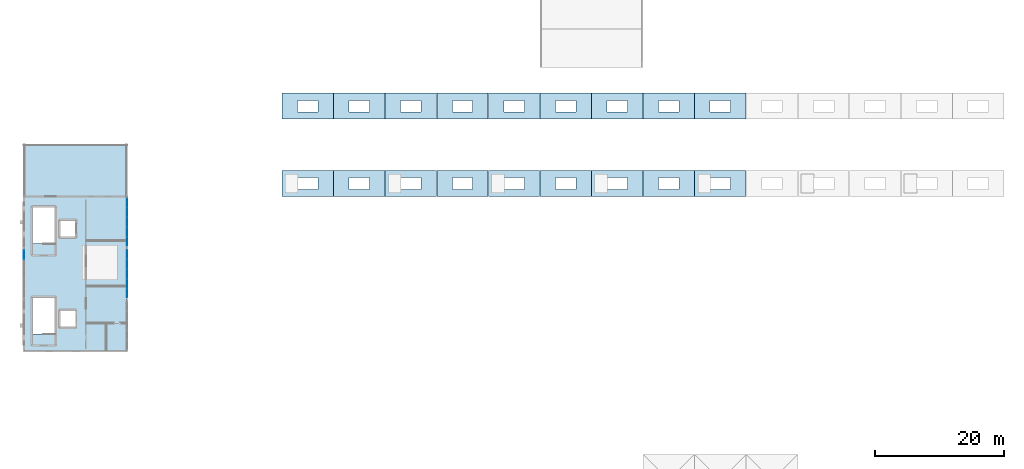
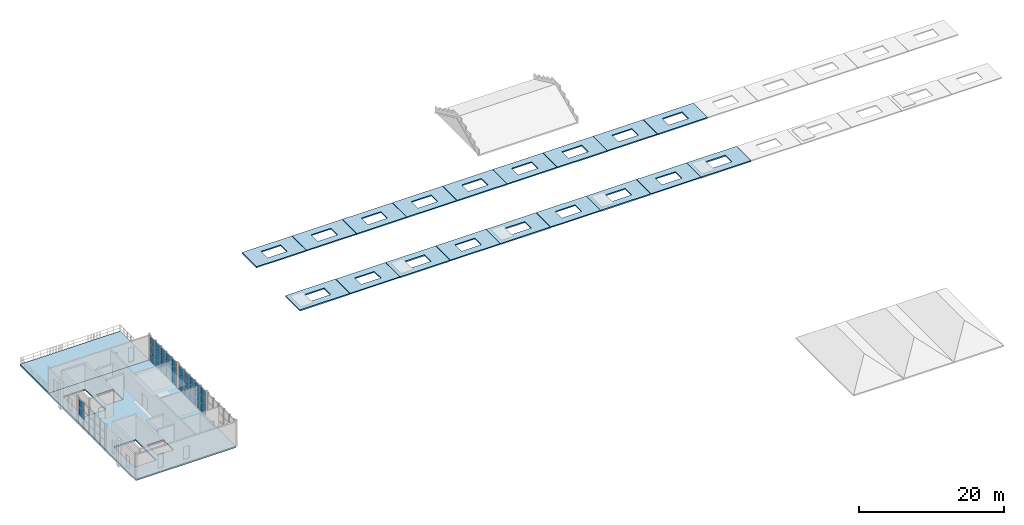
# One storey, part 3 of 9: 32 plates, 20 slabs, 3 elements without a shape of their own.
"""IFC4 building model written with IfcOpenShell, lengths in metres."""

from ifc_helpers import new_model, si_unit, direction, frame, origin, origin_2d, place, context, subcontext, project, spatial, polyline, rectangle, outline, extrude, material, layer, layer_set, type_object, element, aggregate, save


model = new_model("IFC4")

# Units and contexts
model_context = context("Model", 3, precision=1e-05, world=origin(), true_north=direction((0.0, 1.0)))
body_context = subcontext(model_context, "Body", "Model", "MODEL_VIEW")
ifc_project = project(units=[si_unit("LENGTHUNIT", "METRE"), si_unit("AREAUNIT", "SQUARE_METRE"), si_unit("VOLUMEUNIT", "CUBIC_METRE"), si_unit("PLANEANGLEUNIT", "RADIAN"), si_unit("MASSUNIT", "GRAM", prefix="KILO")], contexts=[model_context])

# Site, building, storey
site_placement = place(None, origin())
site = spatial("IfcSite", under=ifc_project, at=site_placement, CompositionType="ELEMENT")
building_placement = place(site_placement, origin())
building = spatial("IfcBuilding", under=site, at=building_placement, Name="Serraluz Foothill Cableway Terminal", CompositionType="ELEMENT")
storey_placement = place(building_placement, frame((0.0, 0.0, 19.800048828125)))
storey = spatial("IfcBuildingStorey", under=building, at=storey_placement, Name="L04", CompositionType="ELEMENT", Elevation=19.800048828125)

# Curtain wall, plates
ifc_material_1 = material(Name="Architectural bronze alloy C28000", Category="aluminium")
curtain_wall_type_1 = type_object("IfcCurtainWallType", Name="TYP-CW-520X440", PredefinedType="NOTDEFINED", material=ifc_material_1)
curtain_wall_1_placement = place(storey_placement, origin())
curtain_wall_1 = element("IfcCurtainWall", 1, at=curtain_wall_1_placement, inside=storey, type_object=curtain_wall_type_1, Name="Ribbed Glazed Curtain Wall CW-V5W-L04-40", PredefinedType="NOTDEFINED")
ifc_material_2 = material(Name="Translucent ribbed laminated channel glass", Category="glass")
ifc_layer_1 = layer(ifc_material_2, 0.028076171875, Name="Translucent ribbed laminated channel glass", Category="glass")
ifc_layer_set_1 = layer_set([ifc_layer_1], Name="Translucent ribbed laminated channel glass")
plate_type = type_object("IfcPlateType", Name="TYP-CW-PNL-28", PredefinedType="CURTAIN_PANEL", material=ifc_layer_set_1)
plate_1_placement = place(storey_placement, frame((0.0, 46.972900390625, 1.4296875), z_axis=(0.0, 0.0, 1.0), x_axis=(0.0, 1.0, 0.0)))
plate_1 = element("IfcPlate", 2, at=plate_1_placement, type_object=plate_type, Name="CW-08 panel 5.2", PredefinedType="CURTAIN_PANEL", context=body_context, shape_type="SweptSolid", body=[
    extrude(rectangle(XDim=1.404052734375, YDim=0.028076171875, at=origin_2d()), origin(), (0.0, 0.0, 1.0), 1.340087890625),
])
plate_2_placement = place(storey_placement, frame((0.0, 46.972900390625, 2.829833984375), z_axis=(0.0, 0.0, 1.0), x_axis=(0.0, 1.0, 0.0)))
plate_2 = element("IfcPlate", 3, at=plate_2_placement, type_object=plate_type, Name="CW-08 panel 5.3", PredefinedType="CURTAIN_PANEL", context=body_context, shape_type="SweptSolid", body=[
    extrude(rectangle(XDim=1.404052734375, YDim=0.028076171875, at=origin_2d()), origin(), (0.0, 0.0, 1.0), 1.31005859375),
])
aggregate(curtain_wall_1, [plate_1, plate_2])

curtain_wall_type_2 = type_object("IfcCurtainWallType", Name="TYP-CW-480X380", PredefinedType="NOTDEFINED", material=ifc_material_1)
curtain_wall_2_placement = place(storey_placement, origin())
curtain_wall_2 = element("IfcCurtainWall", 4, at=curtain_wall_2_placement, inside=storey, type_object=curtain_wall_type_2, Name="Ribbed Glazed Curtain Wall CW-V5E-L04-40", PredefinedType="NOTDEFINED")
plate_3_placement = place(storey_placement, frame((16.0, 46.972900390625, 0.059814453125), z_axis=(0.0, 0.0, 1.0), x_axis=(0.0, -1.0, 0.0)))
plate_3 = element("IfcPlate", 5, at=plate_3_placement, type_object=plate_type, Name="CW-14 panel 1.1", PredefinedType="CURTAIN_PANEL", context=body_context, shape_type="SweptSolid", body=[
    extrude(rectangle(XDim=1.404052734375, YDim=0.028076171875, at=origin_2d()), origin(), (0.0, 0.0, 1.0), 1.31005859375),
])
plate_4_placement = place(storey_placement, frame((16.0, 46.972900390625, 1.4296875), z_axis=(0.0, 0.0, 1.0), x_axis=(0.0, -1.0, 0.0)))
plate_4 = element("IfcPlate", 6, at=plate_4_placement, type_object=plate_type, Name="CW-14 panel 1.2", PredefinedType="CURTAIN_PANEL", context=body_context, shape_type="SweptSolid", body=[
    extrude(rectangle(XDim=1.404052734375, YDim=0.028076171875, at=origin_2d()), origin(), (0.0, 0.0, 1.0), 1.340087890625),
])
plate_5_placement = place(storey_placement, frame((16.0, 46.972900390625, 2.829833984375), z_axis=(0.0, 0.0, 1.0), x_axis=(0.0, -1.0, 0.0)))
plate_5 = element("IfcPlate", 7, at=plate_5_placement, type_object=plate_type, Name="CW-14 panel 1.3", PredefinedType="CURTAIN_PANEL", context=body_context, shape_type="SweptSolid", body=[
    extrude(rectangle(XDim=1.404052734375, YDim=0.028076171875, at=origin_2d()), origin(), (0.0, 0.0, 1.0), 1.31005859375),
])
plate_6_placement = place(storey_placement, frame((16.0, 45.493896484375, 0.059814453125), z_axis=(0.0, 0.0, 1.0), x_axis=(0.0, -1.0, 0.0)))
plate_6 = element("IfcPlate", 8, at=plate_6_placement, type_object=plate_type, Name="CW-14 panel 2.1", PredefinedType="CURTAIN_PANEL", context=body_context, shape_type="SweptSolid", body=[
    extrude(rectangle(XDim=1.43408203125, YDim=0.028076171875, at=origin_2d()), origin(), (0.0, 0.0, 1.0), 1.31005859375),
])
plate_7_placement = place(storey_placement, frame((16.0, 45.493896484375, 1.4296875), z_axis=(0.0, 0.0, 1.0), x_axis=(0.0, -1.0, 0.0)))
plate_7 = element("IfcPlate", 9, at=plate_7_placement, type_object=plate_type, Name="CW-14 panel 2.2", PredefinedType="CURTAIN_PANEL", context=body_context, shape_type="SweptSolid", body=[
    extrude(rectangle(XDim=1.43408203125, YDim=0.028076171875, at=origin_2d()), origin(), (0.0, 0.0, 1.0), 1.340087890625),
])
plate_8_placement = place(storey_placement, frame((16.0, 45.493896484375, 2.829833984375), z_axis=(0.0, 0.0, 1.0), x_axis=(0.0, -1.0, 0.0)))
plate_8 = element("IfcPlate", 10, at=plate_8_placement, type_object=plate_type, Name="CW-14 panel 2.3", PredefinedType="CURTAIN_PANEL", context=body_context, shape_type="SweptSolid", body=[
    extrude(rectangle(XDim=1.43408203125, YDim=0.028076171875, at=origin_2d()), origin(), (0.0, 0.0, 1.0), 1.31005859375),
])
plate_9_placement = place(storey_placement, frame((16.0, 44.0, 0.059814453125), z_axis=(0.0, 0.0, 1.0), x_axis=(0.0, -1.0, 0.0)))
plate_9 = element("IfcPlate", 11, at=plate_9_placement, type_object=plate_type, Name="CW-14 panel 3.1", PredefinedType="CURTAIN_PANEL", context=body_context, shape_type="SweptSolid", body=[
    extrude(rectangle(XDim=1.43408203125, YDim=0.028076171875, at=origin_2d()), origin(), (0.0, 0.0, 1.0), 1.31005859375),
])
plate_10_placement = place(storey_placement, frame((16.0, 44.0, 1.4296875), z_axis=(0.0, 0.0, 1.0), x_axis=(0.0, -1.0, 0.0)))
plate_10 = element("IfcPlate", 12, at=plate_10_placement, type_object=plate_type, Name="CW-14 panel 3.2", PredefinedType="CURTAIN_PANEL", context=body_context, shape_type="SweptSolid", body=[
    extrude(rectangle(XDim=1.43408203125, YDim=0.028076171875, at=origin_2d()), origin(), (0.0, 0.0, 1.0), 1.340087890625),
])
plate_11_placement = place(storey_placement, frame((16.0, 44.0, 2.829833984375), z_axis=(0.0, 0.0, 1.0), x_axis=(0.0, -1.0, 0.0)))
plate_11 = element("IfcPlate", 13, at=plate_11_placement, type_object=plate_type, Name="CW-14 panel 3.3", PredefinedType="CURTAIN_PANEL", context=body_context, shape_type="SweptSolid", body=[
    extrude(rectangle(XDim=1.43408203125, YDim=0.028076171875, at=origin_2d()), origin(), (0.0, 0.0, 1.0), 1.31005859375),
])
plate_12_placement = place(storey_placement, frame((16.0, 42.506103515625, 0.059814453125), z_axis=(0.0, 0.0, 1.0), x_axis=(0.0, -1.0, 0.0)))
plate_12 = element("IfcPlate", 14, at=plate_12_placement, type_object=plate_type, Name="CW-14 panel 4.1", PredefinedType="CURTAIN_PANEL", context=body_context, shape_type="SweptSolid", body=[
    extrude(rectangle(XDim=1.43408203125, YDim=0.028076171875, at=origin_2d()), origin(), (0.0, 0.0, 1.0), 1.31005859375),
])
plate_13_placement = place(storey_placement, frame((16.0, 42.506103515625, 1.4296875), z_axis=(0.0, 0.0, 1.0), x_axis=(0.0, -1.0, 0.0)))
plate_13 = element("IfcPlate", 15, at=plate_13_placement, type_object=plate_type, Name="CW-14 panel 4.2", PredefinedType="CURTAIN_PANEL", context=body_context, shape_type="SweptSolid", body=[
    extrude(rectangle(XDim=1.43408203125, YDim=0.028076171875, at=origin_2d()), origin(), (0.0, 0.0, 1.0), 1.340087890625),
])
plate_14_placement = place(storey_placement, frame((16.0, 42.506103515625, 2.829833984375), z_axis=(0.0, 0.0, 1.0), x_axis=(0.0, -1.0, 0.0)))
plate_14 = element("IfcPlate", 16, at=plate_14_placement, type_object=plate_type, Name="CW-14 panel 4.3", PredefinedType="CURTAIN_PANEL", context=body_context, shape_type="SweptSolid", body=[
    extrude(rectangle(XDim=1.43408203125, YDim=0.028076171875, at=origin_2d()), origin(), (0.0, 0.0, 1.0), 1.31005859375),
])
plate_15_placement = place(storey_placement, frame((16.0, 41.027099609375, 0.059814453125), z_axis=(0.0, 0.0, 1.0), x_axis=(0.0, -1.0, 0.0)))
plate_15 = element("IfcPlate", 17, at=plate_15_placement, type_object=plate_type, Name="CW-14 panel 5.1", PredefinedType="CURTAIN_PANEL", context=body_context, shape_type="SweptSolid", body=[
    extrude(rectangle(XDim=1.404052734375, YDim=0.028076171875, at=origin_2d()), origin(), (0.0, 0.0, 1.0), 1.31005859375),
])
plate_16_placement = place(storey_placement, frame((16.0, 41.027099609375, 1.4296875), z_axis=(0.0, 0.0, 1.0), x_axis=(0.0, -1.0, 0.0)))
plate_16 = element("IfcPlate", 18, at=plate_16_placement, type_object=plate_type, Name="CW-14 panel 5.2", PredefinedType="CURTAIN_PANEL", context=body_context, shape_type="SweptSolid", body=[
    extrude(rectangle(XDim=1.404052734375, YDim=0.028076171875, at=origin_2d()), origin(), (0.0, 0.0, 1.0), 1.340087890625),
])
plate_17_placement = place(storey_placement, frame((16.0, 41.027099609375, 2.829833984375), z_axis=(0.0, 0.0, 1.0), x_axis=(0.0, -1.0, 0.0)))
plate_17 = element("IfcPlate", 19, at=plate_17_placement, type_object=plate_type, Name="CW-14 panel 5.3", PredefinedType="CURTAIN_PANEL", context=body_context, shape_type="SweptSolid", body=[
    extrude(rectangle(XDim=1.404052734375, YDim=0.028076171875, at=origin_2d()), origin(), (0.0, 0.0, 1.0), 1.31005859375),
])
aggregate(curtain_wall_2, [plate_3, plate_4, plate_5, plate_6, plate_7, plate_8, plate_9, plate_10, plate_11, plate_12, plate_13, plate_14, plate_15, plate_16, plate_17])

curtain_wall_type_3 = type_object("IfcCurtainWallType", Name="TYP-CW-480X420", PredefinedType="NOTDEFINED", material=ifc_material_1)
curtain_wall_3_placement = place(storey_placement, origin())
curtain_wall_3 = element("IfcCurtainWall", 20, at=curtain_wall_3_placement, inside=storey, type_object=curtain_wall_type_3, Name="Ribbed Glazed Curtain Wall CW-V5E-L04-48", PredefinedType="NOTDEFINED")
plate_18_placement = place(storey_placement, frame((16.0, 54.972900390625, 0.059814453125), z_axis=(0.0, 0.0, 1.0), x_axis=(0.0, -1.0, 0.0)))
plate_18 = element("IfcPlate", 21, at=plate_18_placement, type_object=plate_type, Name="CW-15 panel 1.1", PredefinedType="CURTAIN_PANEL", context=body_context, shape_type="SweptSolid", body=[
    extrude(rectangle(XDim=1.404052734375, YDim=0.028076171875, at=origin_2d()), origin(), (0.0, 0.0, 1.0), 1.31005859375),
])
plate_19_placement = place(storey_placement, frame((16.0, 54.972900390625, 1.4296875), z_axis=(0.0, 0.0, 1.0), x_axis=(0.0, -1.0, 0.0)))
plate_19 = element("IfcPlate", 22, at=plate_19_placement, type_object=plate_type, Name="CW-15 panel 1.2", PredefinedType="CURTAIN_PANEL", context=body_context, shape_type="SweptSolid", body=[
    extrude(rectangle(XDim=1.404052734375, YDim=0.028076171875, at=origin_2d()), origin(), (0.0, 0.0, 1.0), 1.340087890625),
])
plate_20_placement = place(storey_placement, frame((16.0, 54.972900390625, 2.829833984375), z_axis=(0.0, 0.0, 1.0), x_axis=(0.0, -1.0, 0.0)))
plate_20 = element("IfcPlate", 23, at=plate_20_placement, type_object=plate_type, Name="CW-15 panel 1.3", PredefinedType="CURTAIN_PANEL", context=body_context, shape_type="SweptSolid", body=[
    extrude(rectangle(XDim=1.404052734375, YDim=0.028076171875, at=origin_2d()), origin(), (0.0, 0.0, 1.0), 1.31005859375),
])
plate_21_placement = place(storey_placement, frame((16.0, 53.493896484375, 0.059814453125), z_axis=(0.0, 0.0, 1.0), x_axis=(0.0, -1.0, 0.0)))
plate_21 = element("IfcPlate", 24, at=plate_21_placement, type_object=plate_type, Name="CW-15 panel 2.1", PredefinedType="CURTAIN_PANEL", context=body_context, shape_type="SweptSolid", body=[
    extrude(rectangle(XDim=1.43408203125, YDim=0.028076171875, at=origin_2d()), origin(), (0.0, 0.0, 1.0), 1.31005859375),
])
plate_22_placement = place(storey_placement, frame((16.0, 53.493896484375, 1.4296875), z_axis=(0.0, 0.0, 1.0), x_axis=(0.0, -1.0, 0.0)))
plate_22 = element("IfcPlate", 25, at=plate_22_placement, type_object=plate_type, Name="CW-15 panel 2.2", PredefinedType="CURTAIN_PANEL", context=body_context, shape_type="SweptSolid", body=[
    extrude(rectangle(XDim=1.43408203125, YDim=0.028076171875, at=origin_2d()), origin(), (0.0, 0.0, 1.0), 1.340087890625),
])
plate_23_placement = place(storey_placement, frame((16.0, 53.493896484375, 2.829833984375), z_axis=(0.0, 0.0, 1.0), x_axis=(0.0, -1.0, 0.0)))
plate_23 = element("IfcPlate", 26, at=plate_23_placement, type_object=plate_type, Name="CW-15 panel 2.3", PredefinedType="CURTAIN_PANEL", context=body_context, shape_type="SweptSolid", body=[
    extrude(rectangle(XDim=1.43408203125, YDim=0.028076171875, at=origin_2d()), origin(), (0.0, 0.0, 1.0), 1.31005859375),
])
plate_24_placement = place(storey_placement, frame((16.0, 52.0, 0.059814453125), z_axis=(0.0, 0.0, 1.0), x_axis=(0.0, -1.0, 0.0)))
plate_24 = element("IfcPlate", 27, at=plate_24_placement, type_object=plate_type, Name="CW-15 panel 3.1", PredefinedType="CURTAIN_PANEL", context=body_context, shape_type="SweptSolid", body=[
    extrude(rectangle(XDim=1.43408203125, YDim=0.028076171875, at=origin_2d()), origin(), (0.0, 0.0, 1.0), 1.31005859375),
])
plate_25_placement = place(storey_placement, frame((16.0, 52.0, 1.4296875), z_axis=(0.0, 0.0, 1.0), x_axis=(0.0, -1.0, 0.0)))
plate_25 = element("IfcPlate", 28, at=plate_25_placement, type_object=plate_type, Name="CW-15 panel 3.2", PredefinedType="CURTAIN_PANEL", context=body_context, shape_type="SweptSolid", body=[
    extrude(rectangle(XDim=1.43408203125, YDim=0.028076171875, at=origin_2d()), origin(), (0.0, 0.0, 1.0), 1.340087890625),
])
plate_26_placement = place(storey_placement, frame((16.0, 52.0, 2.829833984375), z_axis=(0.0, 0.0, 1.0), x_axis=(0.0, -1.0, 0.0)))
plate_26 = element("IfcPlate", 29, at=plate_26_placement, type_object=plate_type, Name="CW-15 panel 3.3", PredefinedType="CURTAIN_PANEL", context=body_context, shape_type="SweptSolid", body=[
    extrude(rectangle(XDim=1.43408203125, YDim=0.028076171875, at=origin_2d()), origin(), (0.0, 0.0, 1.0), 1.31005859375),
])
plate_27_placement = place(storey_placement, frame((16.0, 50.506103515625, 0.059814453125), z_axis=(0.0, 0.0, 1.0), x_axis=(0.0, -1.0, 0.0)))
plate_27 = element("IfcPlate", 30, at=plate_27_placement, type_object=plate_type, Name="CW-15 panel 4.1", PredefinedType="CURTAIN_PANEL", context=body_context, shape_type="SweptSolid", body=[
    extrude(rectangle(XDim=1.43408203125, YDim=0.028076171875, at=origin_2d()), origin(), (0.0, 0.0, 1.0), 1.31005859375),
])
plate_28_placement = place(storey_placement, frame((16.0, 50.506103515625, 1.4296875), z_axis=(0.0, 0.0, 1.0), x_axis=(0.0, -1.0, 0.0)))
plate_28 = element("IfcPlate", 31, at=plate_28_placement, type_object=plate_type, Name="CW-15 panel 4.2", PredefinedType="CURTAIN_PANEL", context=body_context, shape_type="SweptSolid", body=[
    extrude(rectangle(XDim=1.43408203125, YDim=0.028076171875, at=origin_2d()), origin(), (0.0, 0.0, 1.0), 1.340087890625),
])
plate_29_placement = place(storey_placement, frame((16.0, 50.506103515625, 2.829833984375), z_axis=(0.0, 0.0, 1.0), x_axis=(0.0, -1.0, 0.0)))
plate_29 = element("IfcPlate", 32, at=plate_29_placement, type_object=plate_type, Name="CW-15 panel 4.3", PredefinedType="CURTAIN_PANEL", context=body_context, shape_type="SweptSolid", body=[
    extrude(rectangle(XDim=1.43408203125, YDim=0.028076171875, at=origin_2d()), origin(), (0.0, 0.0, 1.0), 1.31005859375),
])
plate_30_placement = place(storey_placement, frame((16.0, 49.027099609375, 0.059814453125), z_axis=(0.0, 0.0, 1.0), x_axis=(0.0, -1.0, 0.0)))
plate_30 = element("IfcPlate", 33, at=plate_30_placement, type_object=plate_type, Name="CW-15 panel 5.1", PredefinedType="CURTAIN_PANEL", context=body_context, shape_type="SweptSolid", body=[
    extrude(rectangle(XDim=1.404052734375, YDim=0.028076171875, at=origin_2d()), origin(), (0.0, 0.0, 1.0), 1.31005859375),
])
plate_31_placement = place(storey_placement, frame((16.0, 49.027099609375, 1.4296875), z_axis=(0.0, 0.0, 1.0), x_axis=(0.0, -1.0, 0.0)))
plate_31 = element("IfcPlate", 34, at=plate_31_placement, type_object=plate_type, Name="CW-15 panel 5.2", PredefinedType="CURTAIN_PANEL", context=body_context, shape_type="SweptSolid", body=[
    extrude(rectangle(XDim=1.404052734375, YDim=0.028076171875, at=origin_2d()), origin(), (0.0, 0.0, 1.0), 1.340087890625),
])
plate_32_placement = place(storey_placement, frame((16.0, 49.027099609375, 2.829833984375), z_axis=(0.0, 0.0, 1.0), x_axis=(0.0, -1.0, 0.0)))
plate_32 = element("IfcPlate", 35, at=plate_32_placement, type_object=plate_type, Name="CW-15 panel 5.3", PredefinedType="CURTAIN_PANEL", context=body_context, shape_type="SweptSolid", body=[
    extrude(rectangle(XDim=1.404052734375, YDim=0.028076171875, at=origin_2d()), origin(), (0.0, 0.0, 1.0), 1.31005859375),
])
aggregate(curtain_wall_3, [plate_18, plate_19, plate_20, plate_21, plate_22, plate_23, plate_24, plate_25, plate_26, plate_27, plate_28, plate_29, plate_30, plate_31, plate_32])

# Slabs
ifc_material_3 = material(Name="Concrete C28/35 (f'c 28 MPa)", Category="concrete")
ifc_layer_2 = layer(ifc_material_3, 0.239990234375, Name="Concrete C28/35 (f'c 28 MPa)", Category="concrete")
ifc_layer_set_2 = layer_set([ifc_layer_2], Name="Concrete C28/35 (f'c 28 MPa)")
slab_type_1 = type_object("IfcSlabType", Name="TYP-SLB-FLR-240", PredefinedType="FLOOR", material=ifc_layer_set_2)
slab_1_placement = place(storey_placement, frame((0.0, 0.0, -0.239990234375)))
element("IfcSlab", 36, at=slab_1_placement, inside=storey, type_object=slab_type_1, Name="Structural Slab SLB-L04-V5", PredefinedType="FLOOR", context=body_context, shape_type="SweptSolid", body=[
    extrude(outline(polyline([(0.0, 32.0), (16.0, 32.0), (16.0, 56.0), (0.0, 56.0), (0.0, 32.0)]), holes=[polyline([(4.800048828125, 48.659912109375), (4.800048828125, 54.31005859375), (1.320068359375, 54.31005859375), (1.320068359375, 48.659912109375), (4.800048828125, 48.659912109375)]), polyline([(4.800048828125, 34.659912109375), (4.800048828125, 40.31005859375), (1.320068359375, 40.31005859375), (1.320068359375, 34.659912109375), (4.800048828125, 34.659912109375)]), polyline([(5.5, 49.60009765625), (8.10009765625, 49.60009765625), (8.10009765625, 52.39990234375), (5.5, 52.39990234375), (5.5, 49.60009765625)]), polyline([(5.5, 35.60009765625), (8.10009765625, 35.60009765625), (8.10009765625, 38.39990234375), (5.5, 38.39990234375), (5.5, 35.60009765625)])]), origin(), (0.0, 0.0, 1.0), 0.239990234375),
])
ifc_material_4 = material(Name="Precast concrete C40/50", Category="concrete")
ifc_layer_3 = layer(ifc_material_4, 0.169921875, Name="Precast concrete C40/50", Category="concrete")
ifc_layer_set_3 = layer_set([ifc_layer_3], Name="Precast concrete C40/50")
slab_type_2 = type_object("IfcSlabType", Name="TYP-SLB-ROOF-170", PredefinedType="ROOF", material=ifc_layer_set_3)
slab_2_placement = place(storey_placement, frame((0.0, 0.0, -0.170166015625)))
element("IfcSlab", 37, at=slab_2_placement, inside=storey, type_object=slab_type_2, Name="Precast Eaves Gallery Deck SLB-EAVE-03", PredefinedType="ROOF", context=body_context, shape_type="SweptSolid", body=[
    extrude(outline(polyline([(48.02001953125, 56.0), (55.97998046875, 56.0), (55.97998046875, 60.0), (48.02001953125, 60.0), (48.02001953125, 56.0)]), holes=[polyline([(50.419921875, 57.10009765625), (53.580078125, 57.10009765625), (53.580078125, 58.89990234375), (50.419921875, 58.89990234375), (50.419921875, 57.10009765625)])]), origin(), (0.0, 0.0, 1.0), 0.170166015625),
])
slab_3_placement = place(storey_placement, frame((0.0, 0.0, -0.170166015625)))
element("IfcSlab", 38, at=slab_3_placement, inside=storey, type_object=slab_type_2, Name="Precast Eaves Gallery Deck SLB-EAVE-07", PredefinedType="ROOF", context=body_context, shape_type="SweptSolid", body=[
    extrude(outline(polyline([(64.02001953125, 56.0), (71.97998046875, 56.0), (71.97998046875, 60.0), (64.02001953125, 60.0), (64.02001953125, 56.0)]), holes=[polyline([(66.419921875, 57.10009765625), (69.580078125, 57.10009765625), (69.580078125, 58.89990234375), (66.419921875, 58.89990234375), (66.419921875, 57.10009765625)])]), origin(), (0.0, 0.0, 1.0), 0.170166015625),
])
slab_4_placement = place(storey_placement, frame((0.0, 0.0, -0.170166015625)))
element("IfcSlab", 39, at=slab_4_placement, inside=storey, type_object=slab_type_2, Name="Precast Eaves Gallery Deck SLB-EAVE-11", PredefinedType="ROOF", context=body_context, shape_type="SweptSolid", body=[
    extrude(outline(polyline([(80.02001953125, 56.0), (87.97998046875, 56.0), (87.97998046875, 60.0), (80.02001953125, 60.0), (80.02001953125, 56.0)]), holes=[polyline([(82.419921875, 57.10009765625), (85.580078125, 57.10009765625), (85.580078125, 58.89990234375), (82.419921875, 58.89990234375), (82.419921875, 57.10009765625)])]), origin(), (0.0, 0.0, 1.0), 0.170166015625),
])
slab_5_placement = place(storey_placement, frame((0.0, 0.0, -0.170166015625)))
element("IfcSlab", 40, at=slab_5_placement, inside=storey, type_object=slab_type_2, Name="Precast Eaves Gallery Deck SLB-EAVE-15", PredefinedType="ROOF", context=body_context, shape_type="SweptSolid", body=[
    extrude(outline(polyline([(96.02001953125, 56.0), (103.97998046875, 56.0), (103.97998046875, 60.0), (96.02001953125, 60.0), (96.02001953125, 56.0)]), holes=[polyline([(98.419921875, 57.10009765625), (101.580078125, 57.10009765625), (101.580078125, 58.89990234375), (98.419921875, 58.89990234375), (98.419921875, 57.10009765625)])]), origin(), (0.0, 0.0, 1.0), 0.170166015625),
])
ifc_layer_4 = layer(ifc_material_4, 0.179931640625, Name="Precast concrete C40/50", Category="concrete")
ifc_layer_set_4 = layer_set([ifc_layer_4], Name="Precast concrete C40/50")
slab_type_3 = type_object("IfcSlabType", Name="TYP-SLB-ROOF-180", PredefinedType="ROOF", material=ifc_layer_set_4)
slab_6_placement = place(storey_placement, frame((0.0, 0.0, -0.179931640625)))
element("IfcSlab", 41, at=slab_6_placement, inside=storey, type_object=slab_type_3, Name="Precast Eaves Gallery Deck SLB-EAVE-04", PredefinedType="ROOF", context=body_context, shape_type="SweptSolid", body=[
    extrude(outline(polyline([(48.02001953125, 68.0), (55.97998046875, 68.0), (55.97998046875, 72.0), (48.02001953125, 72.0), (48.02001953125, 68.0)]), holes=[polyline([(50.419921875, 69.10009765625), (53.580078125, 69.10009765625), (53.580078125, 70.89990234375), (50.419921875, 70.89990234375), (50.419921875, 69.10009765625)])]), origin(), (0.0, 0.0, 1.0), 0.179931640625),
])
slab_7_placement = place(storey_placement, frame((0.0, 0.0, -0.179931640625)))
element("IfcSlab", 42, at=slab_7_placement, inside=storey, type_object=slab_type_3, Name="Precast Eaves Gallery Deck SLB-EAVE-08", PredefinedType="ROOF", context=body_context, shape_type="SweptSolid", body=[
    extrude(outline(polyline([(64.02001953125, 68.0), (71.97998046875, 68.0), (71.97998046875, 72.0), (64.02001953125, 72.0), (64.02001953125, 68.0)]), holes=[polyline([(66.419921875, 69.10009765625), (69.580078125, 69.10009765625), (69.580078125, 70.89990234375), (66.419921875, 70.89990234375), (66.419921875, 69.10009765625)])]), origin(), (0.0, 0.0, 1.0), 0.179931640625),
])
slab_8_placement = place(storey_placement, frame((0.0, 0.0, -0.179931640625)))
element("IfcSlab", 43, at=slab_8_placement, inside=storey, type_object=slab_type_3, Name="Precast Eaves Gallery Deck SLB-EAVE-12", PredefinedType="ROOF", context=body_context, shape_type="SweptSolid", body=[
    extrude(outline(polyline([(80.02001953125, 68.0), (87.97998046875, 68.0), (87.97998046875, 72.0), (80.02001953125, 72.0), (80.02001953125, 68.0)]), holes=[polyline([(82.419921875, 69.10009765625), (85.580078125, 69.10009765625), (85.580078125, 70.89990234375), (82.419921875, 70.89990234375), (82.419921875, 69.10009765625)])]), origin(), (0.0, 0.0, 1.0), 0.179931640625),
])
slab_9_placement = place(storey_placement, frame((0.0, 0.0, -0.179931640625)))
element("IfcSlab", 44, at=slab_9_placement, inside=storey, type_object=slab_type_3, Name="Precast Eaves Gallery Deck SLB-EAVE-16", PredefinedType="ROOF", context=body_context, shape_type="SweptSolid", body=[
    extrude(outline(polyline([(96.02001953125, 68.0), (103.97998046875, 68.0), (103.97998046875, 72.0), (96.02001953125, 72.0), (96.02001953125, 68.0)]), holes=[polyline([(98.419921875, 69.10009765625), (101.580078125, 69.10009765625), (101.580078125, 70.89990234375), (98.419921875, 70.89990234375), (98.419921875, 69.10009765625)])]), origin(), (0.0, 0.0, 1.0), 0.179931640625),
])
ifc_layer_5 = layer(ifc_material_4, 0.195068359375, Name="Precast concrete C40/50", Category="concrete")
ifc_layer_set_5 = layer_set([ifc_layer_5], Name="Precast concrete C40/50")
slab_type_4 = type_object("IfcSlabType", Name="TYP-SLB-ROOF-195", PredefinedType="ROOF", material=ifc_layer_set_5)
slab_10_placement = place(storey_placement, frame((0.0, 0.0, -0.195068359375)))
element("IfcSlab", 45, at=slab_10_placement, inside=storey, type_object=slab_type_4, Name="Precast Eaves Gallery Deck SLB-EAVE-02", PredefinedType="ROOF", context=body_context, shape_type="SweptSolid", body=[
    extrude(outline(polyline([(40.02001953125, 68.0), (47.97998046875, 68.0), (47.97998046875, 72.0), (40.02001953125, 72.0), (40.02001953125, 68.0)]), holes=[polyline([(42.419921875, 69.10009765625), (45.580078125, 69.10009765625), (45.580078125, 70.89990234375), (42.419921875, 70.89990234375), (42.419921875, 69.10009765625)])]), origin(), (0.0, 0.0, 1.0), 0.195068359375),
])
slab_11_placement = place(storey_placement, frame((0.0, 0.0, -0.195068359375)))
element("IfcSlab", 46, at=slab_11_placement, inside=storey, type_object=slab_type_4, Name="Precast Eaves Gallery Deck SLB-EAVE-06", PredefinedType="ROOF", context=body_context, shape_type="SweptSolid", body=[
    extrude(outline(polyline([(56.02001953125, 68.0), (63.97998046875, 68.0), (63.97998046875, 72.0), (56.02001953125, 72.0), (56.02001953125, 68.0)]), holes=[polyline([(58.419921875, 69.10009765625), (61.580078125, 69.10009765625), (61.580078125, 70.89990234375), (58.419921875, 70.89990234375), (58.419921875, 69.10009765625)])]), origin(), (0.0, 0.0, 1.0), 0.195068359375),
])
slab_12_placement = place(storey_placement, frame((0.0, 0.0, -0.195068359375)))
element("IfcSlab", 47, at=slab_12_placement, inside=storey, type_object=slab_type_4, Name="Precast Eaves Gallery Deck SLB-EAVE-10", PredefinedType="ROOF", context=body_context, shape_type="SweptSolid", body=[
    extrude(outline(polyline([(72.02001953125, 68.0), (79.97998046875, 68.0), (79.97998046875, 72.0), (72.02001953125, 72.0), (72.02001953125, 68.0)]), holes=[polyline([(74.419921875, 69.10009765625), (77.580078125, 69.10009765625), (77.580078125, 70.89990234375), (74.419921875, 70.89990234375), (74.419921875, 69.10009765625)])]), origin(), (0.0, 0.0, 1.0), 0.195068359375),
])
slab_13_placement = place(storey_placement, frame((0.0, 0.0, -0.195068359375)))
element("IfcSlab", 48, at=slab_13_placement, inside=storey, type_object=slab_type_4, Name="Precast Eaves Gallery Deck SLB-EAVE-14", PredefinedType="ROOF", context=body_context, shape_type="SweptSolid", body=[
    extrude(outline(polyline([(88.02001953125, 68.0), (95.97998046875, 68.0), (95.97998046875, 72.0), (88.02001953125, 72.0), (88.02001953125, 68.0)]), holes=[polyline([(90.419921875, 69.10009765625), (93.580078125, 69.10009765625), (93.580078125, 70.89990234375), (90.419921875, 70.89990234375), (90.419921875, 69.10009765625)])]), origin(), (0.0, 0.0, 1.0), 0.195068359375),
])
slab_14_placement = place(storey_placement, frame((0.0, 0.0, -0.195068359375)))
element("IfcSlab", 49, at=slab_14_placement, inside=storey, type_object=slab_type_4, Name="Precast Eaves Gallery Deck SLB-EAVE-18", PredefinedType="ROOF", context=body_context, shape_type="SweptSolid", body=[
    extrude(outline(polyline([(104.02001953125, 68.0), (111.97998046875, 68.0), (111.97998046875, 72.0), (104.02001953125, 72.0), (104.02001953125, 68.0)]), holes=[polyline([(106.419921875, 69.10009765625), (109.580078125, 69.10009765625), (109.580078125, 70.89990234375), (106.419921875, 70.89990234375), (106.419921875, 69.10009765625)])]), origin(), (0.0, 0.0, 1.0), 0.195068359375),
])
ifc_layer_6 = layer(ifc_material_4, 0.2099609375, Name="Precast concrete C40/50", Category="concrete")
ifc_layer_set_6 = layer_set([ifc_layer_6], Name="Precast concrete C40/50")
slab_type_5 = type_object("IfcSlabType", Name="TYP-SLB-ROOF-210", PredefinedType="ROOF", material=ifc_layer_set_6)
slab_15_placement = place(storey_placement, frame((0.0, 0.0, -0.2099609375)))
element("IfcSlab", 50, at=slab_15_placement, inside=storey, type_object=slab_type_5, Name="Precast Eaves Gallery Deck SLB-EAVE-01", PredefinedType="ROOF", context=body_context, shape_type="SweptSolid", body=[
    extrude(outline(polyline([(40.02001953125, 56.0), (47.97998046875, 56.0), (47.97998046875, 60.0), (40.02001953125, 60.0), (40.02001953125, 56.0)]), holes=[polyline([(42.419921875, 57.10009765625), (45.580078125, 57.10009765625), (45.580078125, 58.89990234375), (42.419921875, 58.89990234375), (42.419921875, 57.10009765625)])]), origin(), (0.0, 0.0, 1.0), 0.2099609375),
])
slab_16_placement = place(storey_placement, frame((0.0, 0.0, -0.2099609375)))
element("IfcSlab", 51, at=slab_16_placement, inside=storey, type_object=slab_type_5, Name="Precast Eaves Gallery Deck SLB-EAVE-05", PredefinedType="ROOF", context=body_context, shape_type="SweptSolid", body=[
    extrude(outline(polyline([(56.02001953125, 56.0), (63.97998046875, 56.0), (63.97998046875, 60.0), (56.02001953125, 60.0), (56.02001953125, 56.0)]), holes=[polyline([(58.419921875, 57.10009765625), (61.580078125, 57.10009765625), (61.580078125, 58.89990234375), (58.419921875, 58.89990234375), (58.419921875, 57.10009765625)])]), origin(), (0.0, 0.0, 1.0), 0.2099609375),
])
slab_17_placement = place(storey_placement, frame((0.0, 0.0, -0.2099609375)))
element("IfcSlab", 52, at=slab_17_placement, inside=storey, type_object=slab_type_5, Name="Precast Eaves Gallery Deck SLB-EAVE-09", PredefinedType="ROOF", context=body_context, shape_type="SweptSolid", body=[
    extrude(outline(polyline([(72.02001953125, 56.0), (79.97998046875, 56.0), (79.97998046875, 60.0), (72.02001953125, 60.0), (72.02001953125, 56.0)]), holes=[polyline([(74.419921875, 57.10009765625), (77.580078125, 57.10009765625), (77.580078125, 58.89990234375), (74.419921875, 58.89990234375), (74.419921875, 57.10009765625)])]), origin(), (0.0, 0.0, 1.0), 0.2099609375),
])
slab_18_placement = place(storey_placement, frame((0.0, 0.0, -0.2099609375)))
element("IfcSlab", 53, at=slab_18_placement, inside=storey, type_object=slab_type_5, Name="Precast Eaves Gallery Deck SLB-EAVE-13", PredefinedType="ROOF", context=body_context, shape_type="SweptSolid", body=[
    extrude(outline(polyline([(88.02001953125, 56.0), (95.97998046875, 56.0), (95.97998046875, 60.0), (88.02001953125, 60.0), (88.02001953125, 56.0)]), holes=[polyline([(90.419921875, 57.10009765625), (93.580078125, 57.10009765625), (93.580078125, 58.89990234375), (90.419921875, 58.89990234375), (90.419921875, 57.10009765625)])]), origin(), (0.0, 0.0, 1.0), 0.2099609375),
])
slab_19_placement = place(storey_placement, frame((0.0, 0.0, -0.2099609375)))
element("IfcSlab", 54, at=slab_19_placement, inside=storey, type_object=slab_type_5, Name="Precast Eaves Gallery Deck SLB-EAVE-17", PredefinedType="ROOF", context=body_context, shape_type="SweptSolid", body=[
    extrude(outline(polyline([(104.02001953125, 56.0), (111.97998046875, 56.0), (111.97998046875, 60.0), (104.02001953125, 60.0), (104.02001953125, 56.0)]), holes=[polyline([(106.419921875, 57.10009765625), (109.580078125, 57.10009765625), (109.580078125, 58.89990234375), (106.419921875, 58.89990234375), (106.419921875, 57.10009765625)])]), origin(), (0.0, 0.0, 1.0), 0.2099609375),
])
ifc_layer_7 = layer(ifc_material_4, 0.235107421875, Name="Precast concrete C40/50", Category="concrete")
ifc_layer_set_7 = layer_set([ifc_layer_7], Name="Precast concrete C40/50")
slab_type_6 = type_object("IfcSlabType", Name="TYP-SLB-TER-235", PredefinedType="FLOOR", material=ifc_layer_set_7)
slab_20_placement = place(storey_placement, frame((0.0, 0.0, -0.235107421875)))
element("IfcSlab", 55, at=slab_20_placement, inside=storey, type_object=slab_type_6, Name="Exterior Terrace or Apron Slab TER-L04-V5", PredefinedType="FLOOR", context=body_context, shape_type="SweptSolid", body=[
    extrude(outline(polyline([(0.0, 56.0), (16.0, 56.0), (16.0, 64.0), (0.0, 64.0), (0.0, 56.0)])), origin(), (0.0, 0.0, 1.0), 0.235107421875),
])

save(model, "model.ifc")
